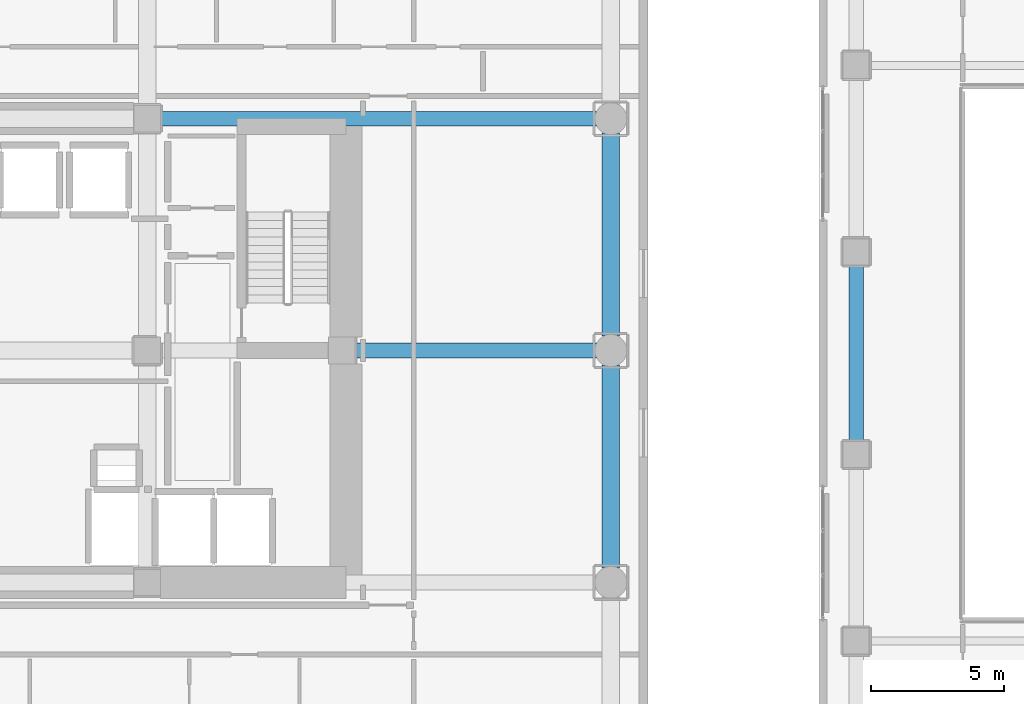
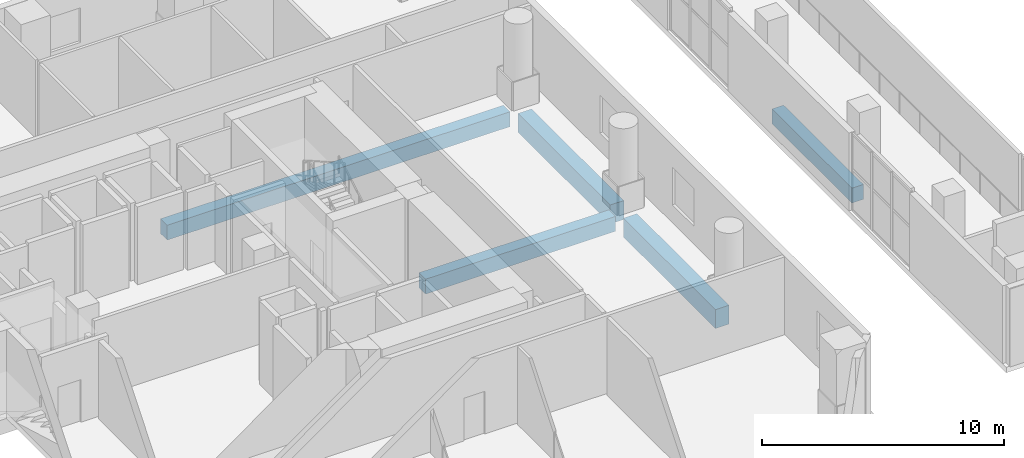
# One storey, part 7 of 24: 5 beams.
"""IFC4 building model written with IfcOpenShell, lengths in metres."""

import ifcopenshell
import ifcopenshell.guid

model = None  # the IFC model being written
_history = None  # IfcOwnerHistory: only IFC2X3 demands one
_inside = {}  # id of a spatial element -> (the spatial element, [elements in it])
_under = {}  # id of a project, library or spatial element -> (it, [spatial elements below it])
_declared = {}  # id of a project -> (the project, [libraries it declares])
_typed = {}  # id of a type object -> (the type object, [elements of that type])
_made_of = {}  # id of a material, layer set ... -> (it, [elements and type objects made of it])


def new_model(schema):
    """Start an empty IFC model of exactly this schema.

    Asked for "IFC4X3", IfcOpenShell would pick the latest addendum, in which some entities
    have other attributes; the version numbers below select the first issue.
    IFC2X3 requires an IfcOwnerHistory on every rooted entity: one is made here for all.
    """
    global model, _history
    if schema == "IFC4X3":
        model = ifcopenshell.file(schema_version=(4, 3, 0, 0))
    else:
        model = ifcopenshell.file(schema=schema)
    _inside.clear()
    _under.clear()
    _declared.clear()
    _typed.clear()
    _made_of.clear()
    _history = None
    if model.schema == "IFC2X3":
        org = make("IfcOrganization", Name="unknown")
        user = make(
            "IfcPersonAndOrganization",
            ThePerson=make("IfcPerson", FamilyName="unknown"),
            TheOrganization=org,
        )
        app = make(
            "IfcApplication",
            ApplicationDeveloper=org,
            Version="unknown",
            ApplicationFullName="unknown",
            ApplicationIdentifier="unknown",
        )
        _history = make(
            "IfcOwnerHistory",
            OwningUser=user,
            OwningApplication=app,
            ChangeAction="ADDED",
            CreationDate=0,
        )
    return model


def make(cls, **values):
    """One entity of the class cls with the attributes given. An attribute that is None is left unset."""
    return model.create_entity(
        cls, **{name: value for name, value in values.items() if value is not None}
    )


def rooted(cls, **values):
    """An entity with a GlobalId (a new one), such as an element, a storey or a relation."""
    return make(cls, GlobalId=ifcopenshell.guid.new(), OwnerHistory=_history, **values)


def si_unit(unit_type, name, prefix=None):
    """IfcSIUnit, for example si_unit("LENGTHUNIT", "METRE", prefix="MILLI")."""
    return make("IfcSIUnit", UnitType=unit_type, Prefix=prefix, Name=name)


def assignment(units):
    """IfcUnitAssignment: the units of a project."""
    return None if units is None else make("IfcUnitAssignment", Units=units)


def point(xyz):
    """IfcCartesianPoint."""
    return None if xyz is None else make("IfcCartesianPoint", Coordinates=xyz)


def direction(xyz):
    """IfcDirection."""
    return None if xyz is None else make("IfcDirection", DirectionRatios=xyz)


def frame(location, z_axis=None, x_axis=None):
    """IfcAxis2Placement3D, a coordinate frame: its origin and axes. An axis left out is left unset."""
    return make(
        "IfcAxis2Placement3D",
        Location=point(location),
        Axis=direction(z_axis),
        RefDirection=direction(x_axis),
    )


def frame_2d(location, x_axis=None):
    """IfcAxis2Placement2D, a coordinate frame in the plane: its origin and x axis."""
    return make(
        "IfcAxis2Placement2D", Location=point(location), RefDirection=direction(x_axis)
    )


def origin():
    """The frame at (0, 0, 0) with its axes left unset."""
    return frame((0.0, 0.0, 0.0))


def origin_2d():
    """The frame at (0, 0) in the plane with its x axis left unset."""
    return frame_2d((0.0, 0.0))


def place(relative_to, where):
    """IfcLocalPlacement: puts the frame where relative to a parent placement (None: the world)."""
    return make(
        "IfcLocalPlacement", PlacementRelTo=relative_to, RelativePlacement=where
    )


def context(
    kind, dimensions, precision=None, world=None, true_north=None, identifier=None
):
    """IfcGeometricRepresentationContext, for example the 3D "Model" context."""
    return make(
        "IfcGeometricRepresentationContext",
        ContextIdentifier=identifier,
        ContextType=kind,
        CoordinateSpaceDimension=dimensions,
        Precision=precision,
        WorldCoordinateSystem=world,
        TrueNorth=true_north,
    )


def subcontext(parent, identifier, kind, view, scale=None):
    """IfcGeometricRepresentationSubContext, for example "Body" below "Model"."""
    return make(
        "IfcGeometricRepresentationSubContext",
        ContextIdentifier=identifier,
        ContextType=kind,
        ParentContext=parent,
        TargetScale=scale,
        TargetView=view,
    )


def project(units=None, contexts=None):
    """IfcProject with its units and contexts."""
    return rooted(
        "IfcProject",
        Name="project",
        RepresentationContexts=contexts,
        UnitsInContext=assignment(units),
    )


def spatial(cls, under=None, at=None, **own):
    """A site, building, storey or space (cls), placed at a placement, below another one or the project."""
    s = rooted(cls, ObjectPlacement=at, **own)
    if under is not None:
        _under.setdefault(under.id(), (under, []))[1].append(s)
    return s


def profile(cls, at=None, kind="AREA", **sizes):
    """A parametric profile (cls). Its sizes go by their IFC names, for example OverallWidth=200.0."""
    return make(cls, ProfileType=kind, Position=at, **sizes)


def rectangle(**sizes):
    """IfcRectangleProfileDef."""
    return profile("IfcRectangleProfileDef", **sizes)


def extrude(swept, where, along, depth):
    """IfcExtrudedAreaSolid: the profile swept, set in the frame where, extruded along a direction by depth."""
    return make(
        "IfcExtrudedAreaSolid",
        SweptArea=swept,
        Position=where,
        ExtrudedDirection=direction(along),
        Depth=depth,
    )


def shape(context_of_items, identifier, shape_type, items):
    """IfcShapeRepresentation: the items that make up one representation, for example the "Body"."""
    return make(
        "IfcShapeRepresentation",
        ContextOfItems=context_of_items,
        RepresentationIdentifier=identifier,
        RepresentationType=shape_type,
        Items=items,
    )


def material(Name=None, Category=None):
    """IfcMaterial."""
    return make("IfcMaterial", Name=Name, Category=Category)


def material_profile(
    of_material, cross_section, Name=None, Category=None, Priority=None
):
    """IfcMaterialProfile: a cross section and its material."""
    return make(
        "IfcMaterialProfile",
        Name=Name,
        Material=of_material,
        Profile=cross_section,
        Priority=Priority,
        Category=Category,
    )


def profile_set(profiles, Name=None, composite=None):
    """IfcMaterialProfileSet."""
    return make(
        "IfcMaterialProfileSet",
        Name=Name,
        MaterialProfiles=profiles,
        CompositeProfile=composite,
    )


def made_of(thing, what):
    """Note that an element or type object is made of a material, layer set ...; save() writes the relation."""
    if what is not None:
        _made_of.setdefault(what.id(), (what, []))[1].append(thing)
    return thing


def type_object(cls, material=None, **own):
    """A type object (cls), such as IfcWallType, which elements share."""
    return made_of(rooted(cls, **own), material)


def element(
    cls,
    number,
    at=None,
    inside=None,
    cuts=None,
    type_object=None,
    material=None,
    context=None,
    identifier="Body",
    shape_type=None,
    held_by="IfcProductDefinitionShape",
    body=None,
    shapes=None,
    **own,
):
    """One element of the class cls, such as IfcWall. Its Tag is "e" and its number.

    at: its placement. inside: the storey or other place that contains it. cuts: it is an
    opening in that element (IfcRelVoidsElement). A single representation is given by context,
    identifier, shape_type and body (its items); several are given by shapes. held_by: the class
    of the entity that holds the representations. save() writes the other relations.
    """
    e = rooted(cls, Tag="e%d" % number, ObjectPlacement=at, **own)
    if body is not None:
        shapes = [shape(context, identifier, shape_type, body)]
    if shapes is not None:
        e.Representation = make(held_by, Representations=shapes)
    if inside is not None:
        _inside.setdefault(inside.id(), (inside, []))[1].append(e)
    if cuts is not None:
        rooted(
            "IfcRelVoidsElement", RelatingBuildingElement=cuts, RelatedOpeningElement=e
        )
    if type_object is not None:
        _typed.setdefault(type_object.id(), (type_object, []))[1].append(e)
    return made_of(e, material)


def aggregate(whole, parts):
    """IfcRelAggregates: a whole, such as a stair, and the parts it consists of."""
    return rooted("IfcRelAggregates", RelatingObject=whole, RelatedObjects=parts)


def save(model, path):
    """Write the relations noted so far, then the file.

    IfcRelAggregates (storeys below a building ...), IfcRelContainedInSpatialStructure (elements
    in a storey), IfcRelDefinesByType, IfcRelAssociatesMaterial and IfcRelDeclares: one each for
    every whole, place, type object, material and project.
    """
    for whole, parts in _under.values():
        aggregate(whole, parts)
    for where, things in _inside.values():
        rooted(
            "IfcRelContainedInSpatialStructure",
            RelatedElements=things,
            RelatingStructure=where,
        )
    for kind, things in _typed.values():
        rooted("IfcRelDefinesByType", RelatedObjects=things, RelatingType=kind)
    for what, things in _made_of.values():
        rooted("IfcRelAssociatesMaterial", RelatedObjects=things, RelatingMaterial=what)
    for by, libraries in _declared.values():
        rooted("IfcRelDeclares", RelatingContext=by, RelatedDefinitions=libraries)
    model.write(path)


model = new_model("IFC4")

# Units and contexts
model_context = context("Model", 3, precision=1e-05, world=origin(), true_north=direction((0.0, 1.0)))
body_context = subcontext(model_context, "Body", "Model", "MODEL_VIEW")
ifc_project = project(units=[si_unit("LENGTHUNIT", "METRE"), si_unit("AREAUNIT", "SQUARE_METRE"), si_unit("VOLUMEUNIT", "CUBIC_METRE"), si_unit("PLANEANGLEUNIT", "RADIAN"), si_unit("MASSUNIT", "GRAM", prefix="KILO")], contexts=[model_context])

# Site, building, storey
site_placement = place(None, origin())
site = spatial("IfcSite", under=ifc_project, at=site_placement, CompositionType="ELEMENT")
building_placement = place(site_placement, origin())
building = spatial("IfcBuilding", under=site, at=building_placement, Name="Solanera Arch Residences", CompositionType="ELEMENT")
storey_placement = place(building_placement, frame((0.0, 0.0, 5.199951171875)))
storey = spatial("IfcBuildingStorey", under=building, at=storey_placement, Name="L01", CompositionType="ELEMENT", Elevation=5.199951171875)

# Beams
ifc_material_1 = material(Name="Concrete C40/50 (f'c = 45 MPa)", Category="concrete")
ifc_material_profile_1 = material_profile(ifc_material_1, rectangle(XDim=0.550048828125, YDim=0.75, at=origin_2d()))
ifc_profile_set_1 = profile_set([ifc_material_profile_1], Name="Concrete C40/50 (f'c = 45 MPa)")
beam_type_1 = type_object("IfcBeamType", Name="Primary Beam RC-BM-550X750", PredefinedType="BEAM", material=ifc_profile_set_1)
beam_1_placement = place(storey_placement, frame((37.00390625, 30.699951171875, -0.655029296875), z_axis=(1.0, 0.0, 0.0), x_axis=(0.0, 1.0, 0.0)))
element("IfcBeam", 1, at=beam_1_placement, inside=storey, type_object=beam_type_1, Name="BM-L01-POD-RE-30", PredefinedType="BEAM", context=body_context, shape_type="SweptSolid", body=[
    extrude(rectangle(XDim=0.550048828125, YDim=0.75, at=origin_2d()), origin(), (0.0, 0.0, 1.0), 9.05615234375),
])
beam_2_placement = place(storey_placement, frame((29.7041015625, 39.39990234375, -0.655029296875), z_axis=(1.0, 0.0, 0.0), x_axis=(0.0, 1.0, 0.0)))
element("IfcBeam", 2, at=beam_2_placement, inside=storey, type_object=beam_type_1, Name="BM-L01-POD-RE-39", PredefinedType="BEAM", context=body_context, shape_type="SweptSolid", body=[
    extrude(rectangle(XDim=0.550048828125, YDim=0.75, at=origin_2d()), origin(), (0.0, 0.0, 1.0), 16.35595703125),
])
beam_3_placement = place(storey_placement, frame((55.800048828125, 27.300048828125, -0.655029296875), z_axis=(0.0, 1.0, 0.0), x_axis=(-1.0, 0.0, 0.0)))
element("IfcBeam", 3, at=beam_3_placement, inside=storey, type_object=beam_type_1, Name="BM-L01-HW-3", PredefinedType="BEAM", context=body_context, shape_type="SweptSolid", body=[
    extrude(rectangle(XDim=0.550048828125, YDim=0.75, at=origin_2d()), origin(), (0.0, 0.0, 1.0), 6.599853515625),
])
ifc_material_2 = material(Name="Concrete C40/50 (f'c = 45 MPa)", Category="concrete")
ifc_material_profile_2 = material_profile(ifc_material_2, rectangle(XDim=0.64990234375, YDim=0.949951171875, at=origin_2d()))
ifc_profile_set_2 = profile_set([ifc_material_profile_2], Name="Concrete C40/50 (f'c = 45 MPa)")
beam_type_2 = type_object("IfcBeamType", Name="Primary Beam RC-BM-650X950", PredefinedType="BEAM", material=ifc_profile_set_2)
beam_4_placement = place(storey_placement, frame((46.60009765625, 22.5400390625, -0.7548828125), z_axis=(0.0, 1.0, 0.0), x_axis=(-1.0, 0.0, 0.0)))
element("IfcBeam", 4, at=beam_4_placement, inside=storey, type_object=beam_type_2, Name="BM-L01-POD-E2", PredefinedType="BEAM", context=body_context, shape_type="SweptSolid", body=[
    extrude(rectangle(XDim=0.64990234375, YDim=0.949951171875, at=origin_2d()), origin(), (0.0, 0.0, 1.0), 7.619873046875),
])
beam_5_placement = place(storey_placement, frame((46.60009765625, 31.239990234375, -0.7548828125), z_axis=(0.0, 1.0, 0.0), x_axis=(-1.0, 0.0, 0.0)))
element("IfcBeam", 5, at=beam_5_placement, inside=storey, type_object=beam_type_2, Name="BM-L01-POD-E3", PredefinedType="BEAM", context=body_context, shape_type="SweptSolid", body=[
    extrude(rectangle(XDim=0.64990234375, YDim=0.949951171875, at=origin_2d()), origin(), (0.0, 0.0, 1.0), 7.6201171875),
])

save(model, "model.ifc")
